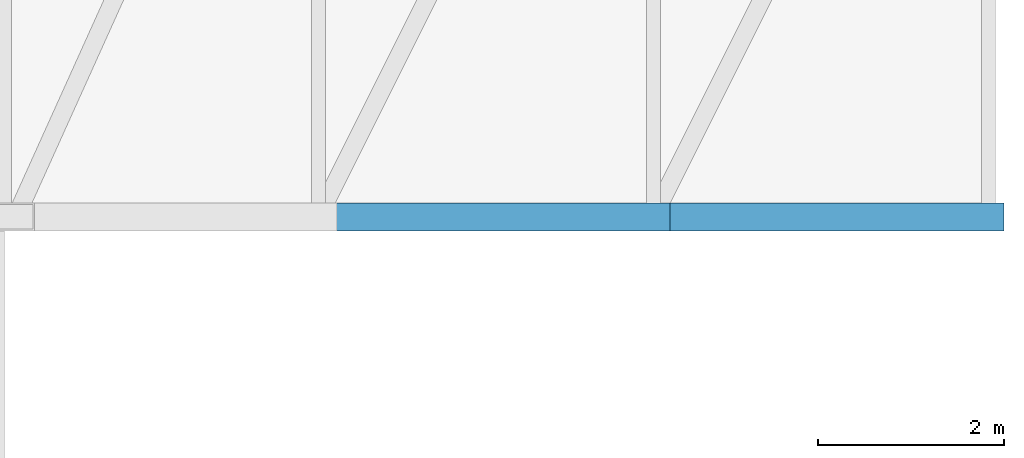
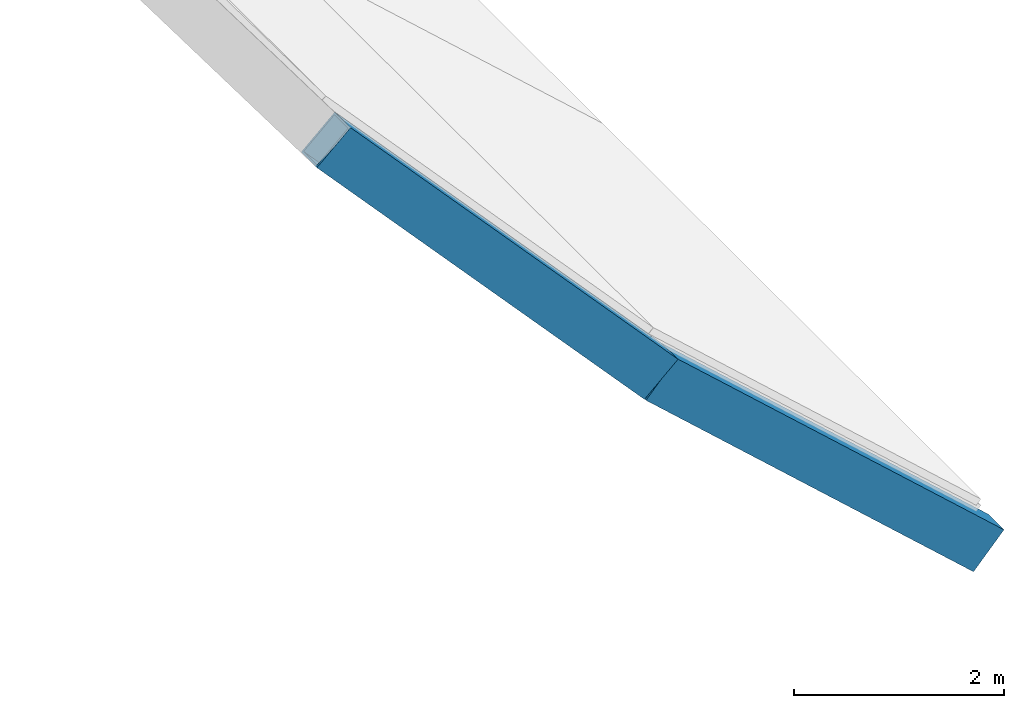
# One storey, part 116 of 397: 2 beams.
"""IFC4 building model written with IfcOpenShell, lengths in metres."""

from ifc_helpers import new_model, si_unit, direction, frame, origin, origin_2d, place, context, subcontext, project, spatial, hollow_rectangle, extrude, material, material_profile, profile_set, type_object, element, save


model = new_model("IFC4")

# Units and contexts
model_context = context("Model", 3, precision=1e-05, world=origin(), true_north=direction((0.0, 1.0)))
body_context = subcontext(model_context, "Body", "Model", "MODEL_VIEW")
ifc_project = project(units=[si_unit("LENGTHUNIT", "METRE"), si_unit("AREAUNIT", "SQUARE_METRE"), si_unit("VOLUMEUNIT", "CUBIC_METRE"), si_unit("PLANEANGLEUNIT", "RADIAN"), si_unit("MASSUNIT", "GRAM", prefix="KILO")], contexts=[model_context])

# Site, building, storey
site_placement = place(None, origin())
site = spatial("IfcSite", under=ifc_project, at=site_placement, CompositionType="ELEMENT")
building_placement = place(site_placement, origin())
building = spatial("IfcBuilding", under=site, at=building_placement, Name="Qandorah Velis Arena", CompositionType="ELEMENT")
storey_placement = place(building_placement, frame((0.0, 0.0, 27.5)))
storey = spatial("IfcBuildingStorey", under=building, at=storey_placement, Name="RF", CompositionType="ELEMENT", Elevation=27.5)

# Beams
ifc_material = material(Name="Steel S355", Category="steel")
ifc_material_profile = material_profile(ifc_material, hollow_rectangle(XDim=0.300048828125, YDim=0.5, WallThickness=0.02001953125, at=origin_2d()), Name="RHS 500x300x20")
ifc_profile_set = profile_set([ifc_material_profile], Name="Steel S355")
beam_type = type_object("IfcBeamType", Name="STR-CRB-RHS500", PredefinedType="USERDEFINED", material=ifc_profile_set)
beam_1_placement = place(storey_placement, frame((118.800048828125, 14.39990234375, -3.84130859375), z_axis=(0.673388510151, 0.0, -0.739288789578), x_axis=(0.0, 1.0, 0.0)))
element("IfcBeam", 1, at=beam_1_placement, inside=storey, type_object=beam_type, Name="Sweeping canopy rib CRB-1.02", ObjectType="ROOF TRUSS", PredefinedType="USERDEFINED", context=body_context, shape_type="SweptSolid", body=[
    extrude(hollow_rectangle(XDim=0.300048828125, YDim=0.5, WallThickness=0.02001953125, at=origin_2d()), origin(), (0.0, 0.0, 1.0), 5.345947265625),
])
beam_2_placement = place(storey_placement, frame((122.39990234375, 14.39990234375, -7.79345703125), z_axis=(0.741976678185, 0.0, -0.6704256924), x_axis=(0.0, 1.0, 0.0)))
element("IfcBeam", 2, at=beam_2_placement, inside=storey, type_object=beam_type, Name="Sweeping canopy rib CRB-1.03", ObjectType="ROOF TRUSS", PredefinedType="USERDEFINED", context=body_context, shape_type="SweptSolid", body=[
    extrude(hollow_rectangle(XDim=0.300048828125, YDim=0.5, WallThickness=0.02001953125, at=origin_2d()), origin(), (0.0, 0.0, 1.0), 4.85205078125),
])

save(model, "model.ifc")
